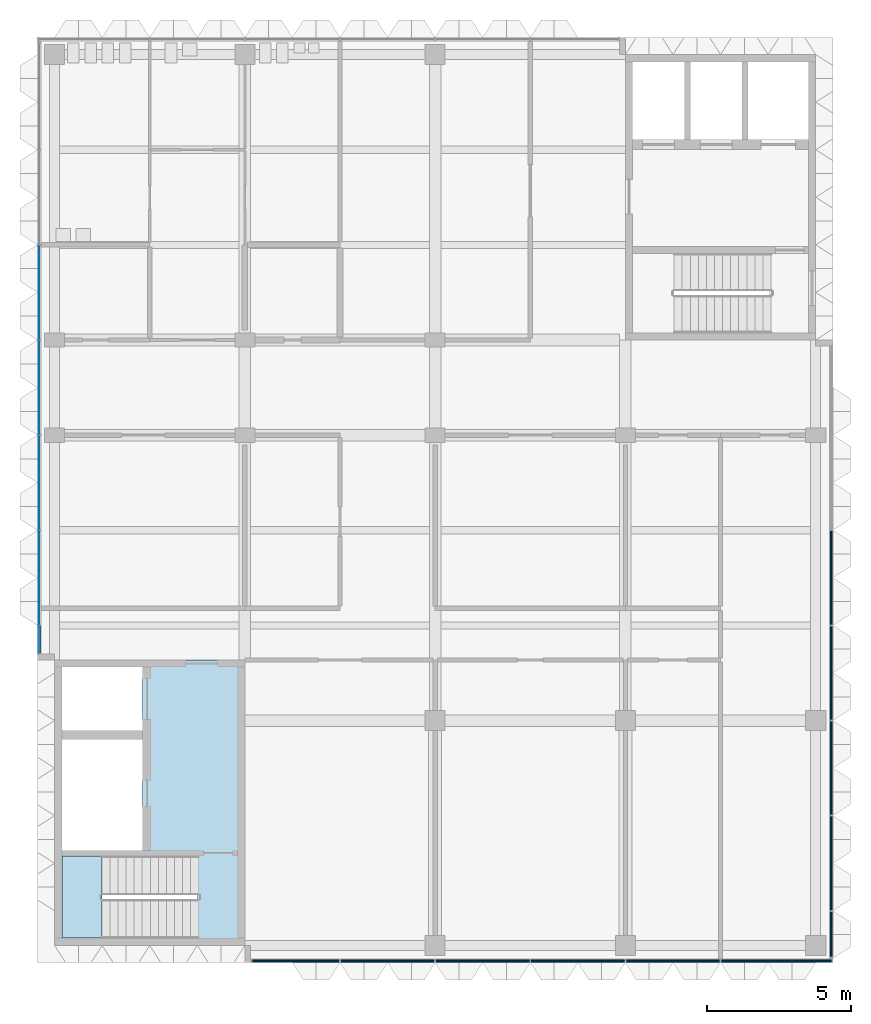
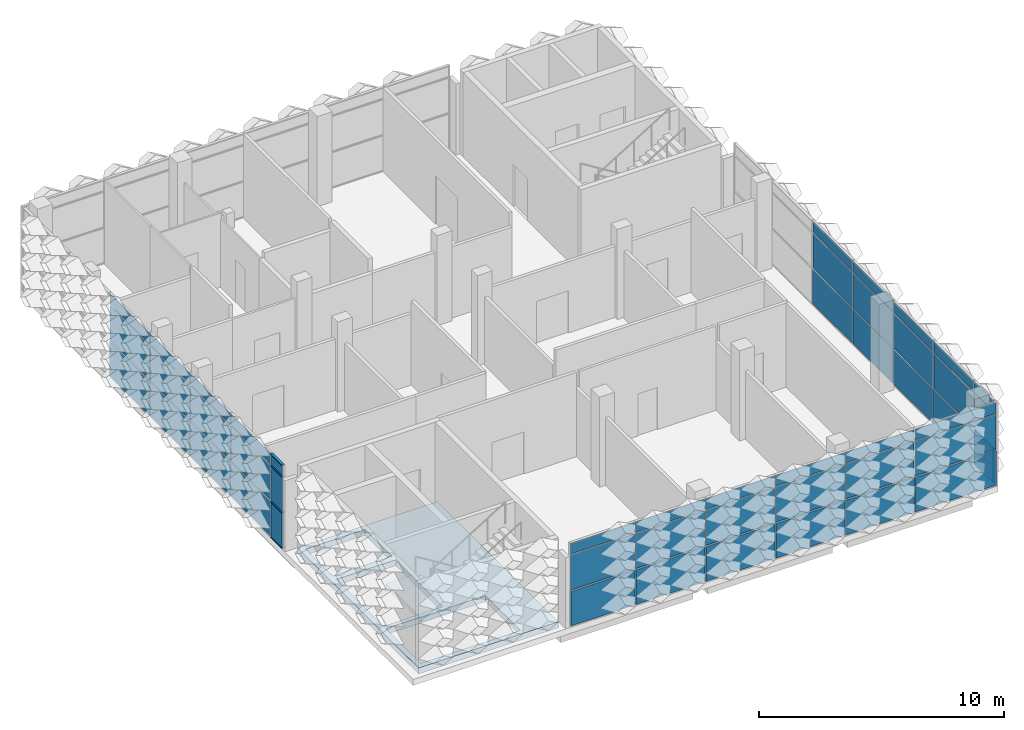
# One storey, part 7 of 28: 48 plates, 4 members, 2 slabs, 4 elements without a shape of their own.
"""IFC4 building model written with IfcOpenShell, lengths in metres."""

from ifc_helpers import new_model, si_unit, direction, frame, origin, origin_2d, place, context, subcontext, project, spatial, polyline, rectangle, outline, extrude, material, layer, layer_set, material_profile, profile_set, type_object, element, aggregate, save


model = new_model("IFC4")

# Units and contexts
model_context = context("Model", 3, precision=1e-05, world=origin(), true_north=direction((0.0, 1.0)))
body_context = subcontext(model_context, "Body", "Model", "MODEL_VIEW")
ifc_project = project(units=[si_unit("LENGTHUNIT", "METRE"), si_unit("AREAUNIT", "SQUARE_METRE"), si_unit("VOLUMEUNIT", "CUBIC_METRE"), si_unit("PLANEANGLEUNIT", "RADIAN"), si_unit("MASSUNIT", "GRAM", prefix="KILO")], contexts=[model_context])

# Site, building, storey
site_placement = place(None, origin())
site = spatial("IfcSite", under=ifc_project, at=site_placement, CompositionType="ELEMENT")
building_placement = place(site_placement, origin())
building = spatial("IfcBuilding", under=site, at=building_placement, Name="Lantern Court Research Institute", CompositionType="ELEMENT")
storey_placement = place(building_placement, frame((0.0, 0.0, 36.89990234375)))
storey = spatial("IfcBuildingStorey", under=building, at=storey_placement, Name="L08", CompositionType="ELEMENT", Elevation=36.89990234375)

# Curtain wall, members
ifc_material_1 = material(Name="Aluminium alloy 6063-T6", Category="aluminium")
curtain_wall_type_1 = type_object("IfcCurtainWallType", Name="Curtain wall 21250 x 4200 x 120 aluminium frame", PredefinedType="NOTDEFINED", material=ifc_material_1)
curtain_wall_1_placement = place(storey_placement, origin())
curtain_wall_1 = element("IfcCurtainWall", 1, at=curtain_wall_1_placement, inside=storey, type_object=curtain_wall_type_1, Name="Curtain wall CW088", PredefinedType="NOTDEFINED")
ifc_material_2 = material(Name="Aluminium alloy 6063-T6", Category="aluminium")
ifc_material_profile = material_profile(ifc_material_2, rectangle(XDim=0.1201171875, YDim=0.050048828125, at=origin_2d()), Name="Transom 120 x 50")
ifc_profile_set = profile_set([ifc_material_profile], Name="Aluminium alloy 6063-T6")
member_type = type_object("IfcMemberType", Name="Transom 120 x 50 aluminium", PredefinedType="USERDEFINED", material=ifc_profile_set)
member_1_placement = place(storey_placement, frame((52.260009765625, 2.35009765625, 0.025146484375), z_axis=(0.0, 1.0, 0.0), x_axis=(-1.0, 0.0, 0.0)))
member_1 = element("IfcMember", 2, at=member_1_placement, type_object=member_type, Name="CW088 transom 1.1", ObjectType="TRANSOM", PredefinedType="USERDEFINED", context=body_context, shape_type="SweptSolid", body=[
    extrude(rectangle(XDim=0.1201171875, YDim=0.050048828125, at=origin_2d()), origin(), (0.0, 0.0, 1.0), 0.9248046875),
])
member_2_placement = place(storey_placement, frame((52.260009765625, 2.35009765625, 1.800048828125), z_axis=(0.0, 1.0, 0.0), x_axis=(-1.0, 0.0, 0.0)))
member_2 = element("IfcMember", 3, at=member_2_placement, type_object=member_type, Name="CW088 transom 1.2", ObjectType="TRANSOM", PredefinedType="USERDEFINED", context=body_context, shape_type="SweptSolid", body=[
    extrude(rectangle(XDim=0.1201171875, YDim=0.050048828125, at=origin_2d()), origin(), (0.0, 0.0, 1.0), 0.9248046875),
])
member_3_placement = place(storey_placement, frame((52.260009765625, 2.35009765625, 3.60009765625), z_axis=(0.0, 1.0, 0.0), x_axis=(-1.0, 0.0, 0.0)))
member_3 = element("IfcMember", 4, at=member_3_placement, type_object=member_type, Name="CW088 transom 1.3", ObjectType="TRANSOM", PredefinedType="USERDEFINED", context=body_context, shape_type="SweptSolid", body=[
    extrude(rectangle(XDim=0.1201171875, YDim=0.050048828125, at=origin_2d()), origin(), (0.0, 0.0, 1.0), 0.9248046875),
])
member_4_placement = place(storey_placement, frame((52.260009765625, 2.35009765625, 4.175048828125), z_axis=(0.0, 1.0, 0.0), x_axis=(-1.0, 0.0, 0.0)))
member_4 = element("IfcMember", 5, at=member_4_placement, type_object=member_type, Name="CW088 transom 1.4", ObjectType="TRANSOM", PredefinedType="USERDEFINED", context=body_context, shape_type="SweptSolid", body=[
    extrude(rectangle(XDim=0.1201171875, YDim=0.050048828125, at=origin_2d()), origin(), (0.0, 0.0, 1.0), 0.9248046875),
])

# Curtain wall, plates
ifc_material_3 = material(Name="Aluminium alloy 6063-T6", Category="aluminium")
curtain_wall_type_2 = type_object("IfcCurtainWallType", Name="Curtain wall 20200 x 4200 x 120 aluminium frame", PredefinedType="NOTDEFINED", material=ifc_material_3)
curtain_wall_2_placement = place(storey_placement, origin())
curtain_wall_2 = element("IfcCurtainWall", 6, at=curtain_wall_2_placement, inside=storey, type_object=curtain_wall_type_2, Name="Curtain wall CW087", PredefinedType="NOTDEFINED")
ifc_material_4 = material(Name="Insulated aluminium spandrel panel", Category="aluminium")
ifc_layer_1 = layer(ifc_material_4, 0.10009765625)
ifc_layer_set_1 = layer_set([ifc_layer_1], Name="Insulated aluminium spandrel panel")
plate_type_1 = type_object("IfcPlateType", Name="Insulated spandrel panel 100 mm for south sun", PredefinedType="CURTAIN_PANEL", material=ifc_layer_set_1)
plate_1_placement = place(storey_placement, frame((61.16259765625, -8.340087890625, 0.050048828125), z_axis=(0.0, 0.0, 1.0), x_axis=(-1.0, 0.0, 0.0)))
plate_1 = element("IfcPlate", 7, at=plate_1_placement, type_object=plate_type_1, Name="CW087 spandrel panel 1.1", PredefinedType="CURTAIN_PANEL", context=body_context, shape_type="SweptSolid", body=[
    extrude(rectangle(XDim=3.02490234375, YDim=0.10009765625, at=origin_2d()), origin(), (0.0, 0.0, 1.0), 1.72509765625),
])
plate_2_placement = place(storey_placement, frame((64.35009765625, -8.340087890625, 0.050048828125), z_axis=(0.0, 0.0, 1.0), x_axis=(-1.0, 0.0, 0.0)))
plate_2 = element("IfcPlate", 8, at=plate_2_placement, type_object=plate_type_1, Name="CW087 spandrel panel 2.1", PredefinedType="CURTAIN_PANEL", context=body_context, shape_type="SweptSolid", body=[
    extrude(rectangle(XDim=3.25, YDim=0.10009765625, at=origin_2d()), origin(), (0.0, 0.0, 1.0), 1.72509765625),
])
plate_3_placement = place(storey_placement, frame((67.64990234375, -8.340087890625, 0.050048828125), z_axis=(0.0, 0.0, 1.0), x_axis=(-1.0, 0.0, 0.0)))
plate_3 = element("IfcPlate", 9, at=plate_3_placement, type_object=plate_type_1, Name="CW087 spandrel panel 3.1", PredefinedType="CURTAIN_PANEL", context=body_context, shape_type="SweptSolid", body=[
    extrude(rectangle(XDim=3.25, YDim=0.10009765625, at=origin_2d()), origin(), (0.0, 0.0, 1.0), 1.72509765625),
])
plate_4_placement = place(storey_placement, frame((70.949951171875, -8.340087890625, 0.050048828125), z_axis=(0.0, 0.0, 1.0), x_axis=(-1.0, 0.0, 0.0)))
plate_4 = element("IfcPlate", 10, at=plate_4_placement, type_object=plate_type_1, Name="CW087 spandrel panel 4.1", PredefinedType="CURTAIN_PANEL", context=body_context, shape_type="SweptSolid", body=[
    extrude(rectangle(XDim=3.25, YDim=0.10009765625, at=origin_2d()), origin(), (0.0, 0.0, 1.0), 1.72509765625),
])
plate_5_placement = place(storey_placement, frame((74.25, -8.340087890625, 0.050048828125), z_axis=(0.0, 0.0, 1.0), x_axis=(-1.0, 0.0, 0.0)))
plate_5 = element("IfcPlate", 11, at=plate_5_placement, type_object=plate_type_1, Name="CW087 spandrel panel 5.1", PredefinedType="CURTAIN_PANEL", context=body_context, shape_type="SweptSolid", body=[
    extrude(rectangle(XDim=3.25, YDim=0.10009765625, at=origin_2d()), origin(), (0.0, 0.0, 1.0), 1.72509765625),
])
plate_6_placement = place(storey_placement, frame((77.83740234375, -8.340087890625, 0.050048828125), z_axis=(0.0, 0.0, 1.0), x_axis=(-1.0, 0.0, 0.0)))
plate_6 = element("IfcPlate", 12, at=plate_6_placement, type_object=plate_type_1, Name="CW087 spandrel panel 6.1", PredefinedType="CURTAIN_PANEL", context=body_context, shape_type="SweptSolid", body=[
    extrude(rectangle(XDim=3.824951171875, YDim=0.10009765625, at=origin_2d()), origin(), (0.0, 0.0, 1.0), 1.72509765625),
])

curtain_wall_3_placement = place(storey_placement, origin())
curtain_wall_3 = element("IfcCurtainWall", 13, at=curtain_wall_3_placement, inside=storey, type_object=curtain_wall_type_1, Name="Curtain wall CW085", PredefinedType="NOTDEFINED")
ifc_material_5 = material(Name="Insulated aluminium spandrel panel", Category="aluminium")
ifc_layer_2 = layer(ifc_material_5, 0.080078125)
ifc_layer_set_2 = layer_set([ifc_layer_2], Name="Insulated aluminium spandrel panel")
plate_type_2 = type_object("IfcPlateType", Name="Insulated spandrel panel 80 mm", PredefinedType="CURTAIN_PANEL", material=ifc_layer_set_2)
plate_7_placement = place(storey_placement, frame((79.739990234375, -7.41259765625, 0.050048828125), z_axis=(0.0, 0.0, 1.0), x_axis=(0.0, -1.0, 0.0)))
plate_7 = element("IfcPlate", 14, at=plate_7_placement, type_object=plate_type_2, Name="CW085 spandrel panel 1.1", PredefinedType="CURTAIN_PANEL", context=body_context, shape_type="SweptSolid", body=[
    extrude(rectangle(XDim=1.574951171875, YDim=0.080078125, at=origin_2d()), origin(), (0.0, 0.0, 1.0), 1.72509765625),
])
plate_8_placement = place(storey_placement, frame((79.739990234375, -4.949951171875, 0.050048828125), z_axis=(0.0, 0.0, 1.0), x_axis=(0.0, -1.0, 0.0)))
plate_8 = element("IfcPlate", 15, at=plate_8_placement, type_object=plate_type_2, Name="CW085 spandrel panel 2.1", PredefinedType="CURTAIN_PANEL", context=body_context, shape_type="SweptSolid", body=[
    extrude(rectangle(XDim=3.25, YDim=0.080078125, at=origin_2d()), origin(), (0.0, 0.0, 1.0), 1.72509765625),
])
plate_9_placement = place(storey_placement, frame((79.739990234375, -1.64990234375, 0.050048828125), z_axis=(0.0, 0.0, 1.0), x_axis=(0.0, -1.0, 0.0)))
plate_9 = element("IfcPlate", 16, at=plate_9_placement, type_object=plate_type_2, Name="CW085 spandrel panel 3.1", PredefinedType="CURTAIN_PANEL", context=body_context, shape_type="SweptSolid", body=[
    extrude(rectangle(XDim=3.25, YDim=0.080078125, at=origin_2d()), origin(), (0.0, 0.0, 1.0), 1.72509765625),
])
plate_10_placement = place(storey_placement, frame((79.739990234375, 1.64990234375, 0.050048828125), z_axis=(0.0, 0.0, 1.0), x_axis=(0.0, -1.0, 0.0)))
plate_10 = element("IfcPlate", 17, at=plate_10_placement, type_object=plate_type_2, Name="CW085 spandrel panel 4.1", PredefinedType="CURTAIN_PANEL", context=body_context, shape_type="SweptSolid", body=[
    extrude(rectangle(XDim=3.25, YDim=0.080078125, at=origin_2d()), origin(), (0.0, 0.0, 1.0), 1.72509765625),
])
plate_11_placement = place(storey_placement, frame((79.739990234375, 4.949951171875, 0.050048828125), z_axis=(0.0, 0.0, 1.0), x_axis=(0.0, -1.0, 0.0)))
plate_11 = element("IfcPlate", 18, at=plate_11_placement, type_object=plate_type_2, Name="CW085 spandrel panel 5.1", PredefinedType="CURTAIN_PANEL", context=body_context, shape_type="SweptSolid", body=[
    extrude(rectangle(XDim=3.25, YDim=0.080078125, at=origin_2d()), origin(), (0.0, 0.0, 1.0), 1.72509765625),
])

# Plate
plate_12_placement = place(storey_placement, frame((52.260009765625, 2.8125, 0.050048828125), z_axis=(0.0, 0.0, 1.0), x_axis=(0.0, 1.0, 0.0)))
plate_12 = element("IfcPlate", 19, at=plate_12_placement, type_object=plate_type_2, Name="CW088 spandrel panel 1.1", PredefinedType="CURTAIN_PANEL", context=body_context, shape_type="SweptSolid", body=[
    extrude(rectangle(XDim=0.925048828125, YDim=0.080078125, at=origin_2d()), origin(), (0.0, 0.0, 1.0), 1.72509765625),
])

plate_13_placement = place(storey_placement, frame((52.260009765625, 4.949951171875, 0.050048828125), z_axis=(0.0, 0.0, 1.0), x_axis=(0.0, 1.0, 0.0)))
plate_13 = element("IfcPlate", 20, at=plate_13_placement, type_object=plate_type_2, Name="CW088 spandrel panel 2.1", PredefinedType="CURTAIN_PANEL", context=body_context, shape_type="SweptSolid", body=[
    extrude(rectangle(XDim=3.25, YDim=0.080078125, at=origin_2d()), origin(), (0.0, 0.0, 1.0), 1.72509765625),
])

plate_14_placement = place(storey_placement, frame((52.260009765625, 8.25, 0.050048828125), z_axis=(0.0, 0.0, 1.0), x_axis=(0.0, 1.0, 0.0)))
plate_14 = element("IfcPlate", 21, at=plate_14_placement, type_object=plate_type_2, Name="CW088 spandrel panel 3.1", PredefinedType="CURTAIN_PANEL", context=body_context, shape_type="SweptSolid", body=[
    extrude(rectangle(XDim=3.25, YDim=0.080078125, at=origin_2d()), origin(), (0.0, 0.0, 1.0), 1.72509765625),
])

plate_15_placement = place(storey_placement, frame((52.260009765625, 11.550048828125, 0.050048828125), z_axis=(0.0, 0.0, 1.0), x_axis=(0.0, 1.0, 0.0)))
plate_15 = element("IfcPlate", 22, at=plate_15_placement, type_object=plate_type_2, Name="CW088 spandrel panel 4.1", PredefinedType="CURTAIN_PANEL", context=body_context, shape_type="SweptSolid", body=[
    extrude(rectangle(XDim=3.25, YDim=0.080078125, at=origin_2d()), origin(), (0.0, 0.0, 1.0), 1.72509765625),
])

plate_16_placement = place(storey_placement, frame((52.260009765625, 14.85009765625, 0.050048828125), z_axis=(0.0, 0.0, 1.0), x_axis=(0.0, 1.0, 0.0)))
plate_16 = element("IfcPlate", 23, at=plate_16_placement, type_object=plate_type_2, Name="CW088 spandrel panel 5.1", PredefinedType="CURTAIN_PANEL", context=body_context, shape_type="SweptSolid", body=[
    extrude(rectangle(XDim=3.25, YDim=0.080078125, at=origin_2d()), origin(), (0.0, 0.0, 1.0), 1.72509765625),
])

ifc_material_6 = material(Name="Laminated low-emissivity glass", Category="glass")
ifc_layer_3 = layer(ifc_material_6, 0.031982421875)
ifc_layer_set_3 = layer_set([ifc_layer_3], Name="Laminated low-emissivity glass")
plate_type_3 = type_object("IfcPlateType", Name="Laminated low-emissivity unit 32 mm", PredefinedType="CURTAIN_PANEL", material=ifc_layer_set_3)
plate_17_placement = place(storey_placement, frame((52.260009765625, 2.8125, 1.8251953125), z_axis=(0.0, 0.0, 1.0), x_axis=(0.0, 1.0, 0.0)))
plate_17 = element("IfcPlate", 24, at=plate_17_placement, type_object=plate_type_3, Name="CW088 glazed panel 1.2", PredefinedType="CURTAIN_PANEL", context=body_context, shape_type="SweptSolid", body=[
    extrude(rectangle(XDim=0.925048828125, YDim=0.031982421875, at=origin_2d()), origin(), (0.0, 0.0, 1.0), 1.75),
])

plate_18_placement = place(storey_placement, frame((52.260009765625, 2.8125, 3.625244140625), z_axis=(0.0, 0.0, 1.0), x_axis=(0.0, 1.0, 0.0)))
plate_18 = element("IfcPlate", 25, at=plate_18_placement, type_object=plate_type_3, Name="CW088 glazed panel 1.3", PredefinedType="CURTAIN_PANEL", context=body_context, shape_type="SweptSolid", body=[
    extrude(rectangle(XDim=0.925048828125, YDim=0.031982421875, at=origin_2d()), origin(), (0.0, 0.0, 1.0), 0.52490234375),
])

plate_19_placement = place(storey_placement, frame((52.260009765625, 4.949951171875, 1.8251953125), z_axis=(0.0, 0.0, 1.0), x_axis=(0.0, 1.0, 0.0)))
plate_19 = element("IfcPlate", 26, at=plate_19_placement, type_object=plate_type_3, Name="CW088 glazed panel 2.2", PredefinedType="CURTAIN_PANEL", context=body_context, shape_type="SweptSolid", body=[
    extrude(rectangle(XDim=3.25, YDim=0.031982421875, at=origin_2d()), origin(), (0.0, 0.0, 1.0), 1.75),
])

plate_20_placement = place(storey_placement, frame((52.260009765625, 4.949951171875, 3.625244140625), z_axis=(0.0, 0.0, 1.0), x_axis=(0.0, 1.0, 0.0)))
plate_20 = element("IfcPlate", 27, at=plate_20_placement, type_object=plate_type_3, Name="CW088 glazed panel 2.3", PredefinedType="CURTAIN_PANEL", context=body_context, shape_type="SweptSolid", body=[
    extrude(rectangle(XDim=3.25, YDim=0.031982421875, at=origin_2d()), origin(), (0.0, 0.0, 1.0), 0.52490234375),
])

plate_21_placement = place(storey_placement, frame((52.260009765625, 8.25, 1.8251953125), z_axis=(0.0, 0.0, 1.0), x_axis=(0.0, 1.0, 0.0)))
plate_21 = element("IfcPlate", 28, at=plate_21_placement, type_object=plate_type_3, Name="CW088 glazed panel 3.2", PredefinedType="CURTAIN_PANEL", context=body_context, shape_type="SweptSolid", body=[
    extrude(rectangle(XDim=3.25, YDim=0.031982421875, at=origin_2d()), origin(), (0.0, 0.0, 1.0), 1.75),
])

plate_22_placement = place(storey_placement, frame((52.260009765625, 8.25, 3.625244140625), z_axis=(0.0, 0.0, 1.0), x_axis=(0.0, 1.0, 0.0)))
plate_22 = element("IfcPlate", 29, at=plate_22_placement, type_object=plate_type_3, Name="CW088 glazed panel 3.3", PredefinedType="CURTAIN_PANEL", context=body_context, shape_type="SweptSolid", body=[
    extrude(rectangle(XDim=3.25, YDim=0.031982421875, at=origin_2d()), origin(), (0.0, 0.0, 1.0), 0.52490234375),
])

plate_23_placement = place(storey_placement, frame((52.260009765625, 11.550048828125, 1.8251953125), z_axis=(0.0, 0.0, 1.0), x_axis=(0.0, 1.0, 0.0)))
plate_23 = element("IfcPlate", 30, at=plate_23_placement, type_object=plate_type_3, Name="CW088 glazed panel 4.2", PredefinedType="CURTAIN_PANEL", context=body_context, shape_type="SweptSolid", body=[
    extrude(rectangle(XDim=3.25, YDim=0.031982421875, at=origin_2d()), origin(), (0.0, 0.0, 1.0), 1.75),
])

plate_24_placement = place(storey_placement, frame((52.260009765625, 11.550048828125, 3.625244140625), z_axis=(0.0, 0.0, 1.0), x_axis=(0.0, 1.0, 0.0)))
plate_24 = element("IfcPlate", 31, at=plate_24_placement, type_object=plate_type_3, Name="CW088 glazed panel 4.3", PredefinedType="CURTAIN_PANEL", context=body_context, shape_type="SweptSolid", body=[
    extrude(rectangle(XDim=3.25, YDim=0.031982421875, at=origin_2d()), origin(), (0.0, 0.0, 1.0), 0.52490234375),
])

plate_25_placement = place(storey_placement, frame((52.260009765625, 14.85009765625, 1.8251953125), z_axis=(0.0, 0.0, 1.0), x_axis=(0.0, 1.0, 0.0)))
plate_25 = element("IfcPlate", 32, at=plate_25_placement, type_object=plate_type_3, Name="CW088 glazed panel 5.2", PredefinedType="CURTAIN_PANEL", context=body_context, shape_type="SweptSolid", body=[
    extrude(rectangle(XDim=3.25, YDim=0.031982421875, at=origin_2d()), origin(), (0.0, 0.0, 1.0), 1.75),
])

plate_26_placement = place(storey_placement, frame((52.260009765625, 14.85009765625, 3.625244140625), z_axis=(0.0, 0.0, 1.0), x_axis=(0.0, 1.0, 0.0)))
plate_26 = element("IfcPlate", 33, at=plate_26_placement, type_object=plate_type_3, Name="CW088 glazed panel 5.3", PredefinedType="CURTAIN_PANEL", context=body_context, shape_type="SweptSolid", body=[
    extrude(rectangle(XDim=3.25, YDim=0.031982421875, at=origin_2d()), origin(), (0.0, 0.0, 1.0), 0.52490234375),
])

aggregate(curtain_wall_1, [member_1, member_2, member_3, member_4, plate_12, plate_17, plate_18, plate_13, plate_19, plate_20, plate_14, plate_21, plate_22, plate_15, plate_23, plate_24, plate_16, plate_25, plate_26])

# Slab
ifc_material_7 = material(Name="Concrete C35/45", Category="concrete")
ifc_layer_4 = layer(ifc_material_7, 0.300048828125)
ifc_layer_set_4 = layer_set([ifc_layer_4], Name="Concrete C35/45")
slab_type_1 = type_object("IfcSlabType", Name="RC core floor slab 300", PredefinedType="FLOOR", material=ifc_layer_set_4)
slab_1_placement = place(storey_placement, frame((0.0, 0.0, -0.2998046875)))
element("IfcSlab", 34, at=slab_1_placement, inside=storey, type_object=slab_type_1, Name="Floor of core TC-W", PredefinedType="FLOOR", context=body_context, shape_type="SweptSolid", body=[
    extrude(outline(polyline([(52.800048828125, -7.800048828125), (59.39990234375, -7.800048828125), (59.39990234375, 2.10009765625), (52.800048828125, 2.10009765625), (52.800048828125, -7.800048828125)]), holes=[polyline([(57.75, -4.699951171875), (53.050048828125, -4.699951171875), (53.050048828125, -7.550048828125), (57.75, -7.550048828125), (57.75, -4.699951171875)]), polyline([(53.050048828125, -0.35009765625), (55.85009765625, -0.35009765625), (55.85009765625, 1.85009765625), (53.050048828125, 1.85009765625), (53.050048828125, -0.35009765625)]), polyline([(53.050048828125, -0.64990234375), (55.85009765625, -0.64990234375), (55.85009765625, -4.5), (53.050048828125, -4.5), (53.050048828125, -0.64990234375)])]), origin(), (0.0, 0.0, 1.0), 0.2998046875),
])

# Stair, slab
ifc_material_8 = material(Name="Concrete C40/50", Category="concrete")
stair_type = type_object("IfcStairType", Name="RC half-turn stair 1350 wide, 4500 rise, 6100 shaft", PredefinedType="HALF_TURN_STAIR", material=ifc_material_8)
stair_placement = place(storey_placement, origin())
stair = element("IfcStair", 35, at=stair_placement, inside=storey, type_object=stair_type, Name="L08 stair ST-T1", PredefinedType="HALF_TURN_STAIR")
ifc_material_9 = material(Name="Concrete C40/50", Category="concrete")
ifc_layer_5 = layer(ifc_material_9, 0.199951171875)
ifc_layer_set_5 = layer_set([ifc_layer_5], Name="Concrete C40/50")
slab_type_2 = type_object("IfcSlabType", Name="RC stair landing 200", PredefinedType="LANDING", material=ifc_layer_set_5)
slab_2_placement = place(storey_placement, frame((0.0, 0.0, 2.050048828125)))
slab_2 = element("IfcSlab", 36, at=slab_2_placement, type_object=slab_type_2, Name="ST-T1 landing 1", PredefinedType="LANDING", context=body_context, shape_type="SweptSolid", body=[
    extrude(outline(polyline([(54.43994140625, -4.699951171875), (53.050048828125, -4.699951171875), (53.050048828125, -7.550048828125), (54.43994140625, -7.550048828125), (54.43994140625, -4.699951171875)])), origin(), (0.0, 0.0, 1.0), 0.199951171875),
])
aggregate(stair, [slab_2])

# Plate
ifc_material_10 = material(Name="Laminated low-emissivity glass", Category="glass")
ifc_layer_6 = layer(ifc_material_10, 0.035888671875)
ifc_layer_set_6 = layer_set([ifc_layer_6], Name="Laminated low-emissivity glass")
plate_type_4 = type_object("IfcPlateType", Name="Solar control laminated unit 36 mm", PredefinedType="CURTAIN_PANEL", material=ifc_layer_set_6)
plate_27_placement = place(storey_placement, frame((79.739990234375, -7.41259765625, 1.8251953125), z_axis=(0.0, 0.0, 1.0), x_axis=(0.0, -1.0, 0.0)))
plate_27 = element("IfcPlate", 37, at=plate_27_placement, type_object=plate_type_4, Name="CW085 glazed panel 1.2", PredefinedType="CURTAIN_PANEL", context=body_context, shape_type="SweptSolid", body=[
    extrude(rectangle(XDim=1.574951171875, YDim=0.035888671875, at=origin_2d()), origin(), (0.0, 0.0, 1.0), 1.75),
])

plate_28_placement = place(storey_placement, frame((79.739990234375, -7.41259765625, 3.625244140625), z_axis=(0.0, 0.0, 1.0), x_axis=(0.0, -1.0, 0.0)))
plate_28 = element("IfcPlate", 38, at=plate_28_placement, type_object=plate_type_4, Name="CW085 glazed panel 1.3", PredefinedType="CURTAIN_PANEL", context=body_context, shape_type="SweptSolid", body=[
    extrude(rectangle(XDim=1.574951171875, YDim=0.035888671875, at=origin_2d()), origin(), (0.0, 0.0, 1.0), 0.52490234375),
])

plate_29_placement = place(storey_placement, frame((79.739990234375, -4.949951171875, 1.8251953125), z_axis=(0.0, 0.0, 1.0), x_axis=(0.0, -1.0, 0.0)))
plate_29 = element("IfcPlate", 39, at=plate_29_placement, type_object=plate_type_4, Name="CW085 glazed panel 2.2", PredefinedType="CURTAIN_PANEL", context=body_context, shape_type="SweptSolid", body=[
    extrude(rectangle(XDim=3.25, YDim=0.035888671875, at=origin_2d()), origin(), (0.0, 0.0, 1.0), 1.75),
])

plate_30_placement = place(storey_placement, frame((79.739990234375, -4.949951171875, 3.625244140625), z_axis=(0.0, 0.0, 1.0), x_axis=(0.0, -1.0, 0.0)))
plate_30 = element("IfcPlate", 40, at=plate_30_placement, type_object=plate_type_4, Name="CW085 glazed panel 2.3", PredefinedType="CURTAIN_PANEL", context=body_context, shape_type="SweptSolid", body=[
    extrude(rectangle(XDim=3.25, YDim=0.035888671875, at=origin_2d()), origin(), (0.0, 0.0, 1.0), 0.52490234375),
])

plate_31_placement = place(storey_placement, frame((79.739990234375, -1.64990234375, 1.8251953125), z_axis=(0.0, 0.0, 1.0), x_axis=(0.0, -1.0, 0.0)))
plate_31 = element("IfcPlate", 41, at=plate_31_placement, type_object=plate_type_4, Name="CW085 glazed panel 3.2", PredefinedType="CURTAIN_PANEL", context=body_context, shape_type="SweptSolid", body=[
    extrude(rectangle(XDim=3.25, YDim=0.035888671875, at=origin_2d()), origin(), (0.0, 0.0, 1.0), 1.75),
])

plate_32_placement = place(storey_placement, frame((79.739990234375, -1.64990234375, 3.625244140625), z_axis=(0.0, 0.0, 1.0), x_axis=(0.0, -1.0, 0.0)))
plate_32 = element("IfcPlate", 42, at=plate_32_placement, type_object=plate_type_4, Name="CW085 glazed panel 3.3", PredefinedType="CURTAIN_PANEL", context=body_context, shape_type="SweptSolid", body=[
    extrude(rectangle(XDim=3.25, YDim=0.035888671875, at=origin_2d()), origin(), (0.0, 0.0, 1.0), 0.52490234375),
])

plate_33_placement = place(storey_placement, frame((79.739990234375, 1.64990234375, 1.8251953125), z_axis=(0.0, 0.0, 1.0), x_axis=(0.0, -1.0, 0.0)))
plate_33 = element("IfcPlate", 43, at=plate_33_placement, type_object=plate_type_4, Name="CW085 glazed panel 4.2", PredefinedType="CURTAIN_PANEL", context=body_context, shape_type="SweptSolid", body=[
    extrude(rectangle(XDim=3.25, YDim=0.035888671875, at=origin_2d()), origin(), (0.0, 0.0, 1.0), 1.75),
])

plate_34_placement = place(storey_placement, frame((79.739990234375, 1.64990234375, 3.625244140625), z_axis=(0.0, 0.0, 1.0), x_axis=(0.0, -1.0, 0.0)))
plate_34 = element("IfcPlate", 44, at=plate_34_placement, type_object=plate_type_4, Name="CW085 glazed panel 4.3", PredefinedType="CURTAIN_PANEL", context=body_context, shape_type="SweptSolid", body=[
    extrude(rectangle(XDim=3.25, YDim=0.035888671875, at=origin_2d()), origin(), (0.0, 0.0, 1.0), 0.52490234375),
])

plate_35_placement = place(storey_placement, frame((79.739990234375, 4.949951171875, 1.8251953125), z_axis=(0.0, 0.0, 1.0), x_axis=(0.0, -1.0, 0.0)))
plate_35 = element("IfcPlate", 45, at=plate_35_placement, type_object=plate_type_4, Name="CW085 glazed panel 5.2", PredefinedType="CURTAIN_PANEL", context=body_context, shape_type="SweptSolid", body=[
    extrude(rectangle(XDim=3.25, YDim=0.035888671875, at=origin_2d()), origin(), (0.0, 0.0, 1.0), 1.75),
])

plate_36_placement = place(storey_placement, frame((79.739990234375, 4.949951171875, 3.625244140625), z_axis=(0.0, 0.0, 1.0), x_axis=(0.0, -1.0, 0.0)))
plate_36 = element("IfcPlate", 46, at=plate_36_placement, type_object=plate_type_4, Name="CW085 glazed panel 5.3", PredefinedType="CURTAIN_PANEL", context=body_context, shape_type="SweptSolid", body=[
    extrude(rectangle(XDim=3.25, YDim=0.035888671875, at=origin_2d()), origin(), (0.0, 0.0, 1.0), 0.52490234375),
])

aggregate(curtain_wall_3, [plate_7, plate_27, plate_28, plate_8, plate_29, plate_30, plate_9, plate_31, plate_32, plate_10, plate_33, plate_34, plate_11, plate_35, plate_36])

plate_37_placement = place(storey_placement, frame((61.16259765625, -8.340087890625, 1.8251953125), z_axis=(0.0, 0.0, 1.0), x_axis=(-1.0, 0.0, 0.0)))
plate_37 = element("IfcPlate", 47, at=plate_37_placement, type_object=plate_type_4, Name="CW087 glazed panel 1.2", PredefinedType="CURTAIN_PANEL", context=body_context, shape_type="SweptSolid", body=[
    extrude(rectangle(XDim=3.02490234375, YDim=0.035888671875, at=origin_2d()), origin(), (0.0, 0.0, 1.0), 1.75),
])

plate_38_placement = place(storey_placement, frame((61.16259765625, -8.340087890625, 3.625244140625), z_axis=(0.0, 0.0, 1.0), x_axis=(-1.0, 0.0, 0.0)))
plate_38 = element("IfcPlate", 48, at=plate_38_placement, type_object=plate_type_4, Name="CW087 glazed panel 1.3", PredefinedType="CURTAIN_PANEL", context=body_context, shape_type="SweptSolid", body=[
    extrude(rectangle(XDim=3.02490234375, YDim=0.035888671875, at=origin_2d()), origin(), (0.0, 0.0, 1.0), 0.52490234375),
])

plate_39_placement = place(storey_placement, frame((64.35009765625, -8.340087890625, 1.8251953125), z_axis=(0.0, 0.0, 1.0), x_axis=(-1.0, 0.0, 0.0)))
plate_39 = element("IfcPlate", 49, at=plate_39_placement, type_object=plate_type_4, Name="CW087 glazed panel 2.2", PredefinedType="CURTAIN_PANEL", context=body_context, shape_type="SweptSolid", body=[
    extrude(rectangle(XDim=3.25, YDim=0.035888671875, at=origin_2d()), origin(), (0.0, 0.0, 1.0), 1.75),
])

plate_40_placement = place(storey_placement, frame((64.35009765625, -8.340087890625, 3.625244140625), z_axis=(0.0, 0.0, 1.0), x_axis=(-1.0, 0.0, 0.0)))
plate_40 = element("IfcPlate", 50, at=plate_40_placement, type_object=plate_type_4, Name="CW087 glazed panel 2.3", PredefinedType="CURTAIN_PANEL", context=body_context, shape_type="SweptSolid", body=[
    extrude(rectangle(XDim=3.25, YDim=0.035888671875, at=origin_2d()), origin(), (0.0, 0.0, 1.0), 0.52490234375),
])

plate_41_placement = place(storey_placement, frame((67.64990234375, -8.340087890625, 1.8251953125), z_axis=(0.0, 0.0, 1.0), x_axis=(-1.0, 0.0, 0.0)))
plate_41 = element("IfcPlate", 51, at=plate_41_placement, type_object=plate_type_4, Name="CW087 glazed panel 3.2", PredefinedType="CURTAIN_PANEL", context=body_context, shape_type="SweptSolid", body=[
    extrude(rectangle(XDim=3.25, YDim=0.035888671875, at=origin_2d()), origin(), (0.0, 0.0, 1.0), 1.75),
])

plate_42_placement = place(storey_placement, frame((67.64990234375, -8.340087890625, 3.625244140625), z_axis=(0.0, 0.0, 1.0), x_axis=(-1.0, 0.0, 0.0)))
plate_42 = element("IfcPlate", 52, at=plate_42_placement, type_object=plate_type_4, Name="CW087 glazed panel 3.3", PredefinedType="CURTAIN_PANEL", context=body_context, shape_type="SweptSolid", body=[
    extrude(rectangle(XDim=3.25, YDim=0.035888671875, at=origin_2d()), origin(), (0.0, 0.0, 1.0), 0.52490234375),
])

plate_43_placement = place(storey_placement, frame((70.949951171875, -8.340087890625, 1.8251953125), z_axis=(0.0, 0.0, 1.0), x_axis=(-1.0, 0.0, 0.0)))
plate_43 = element("IfcPlate", 53, at=plate_43_placement, type_object=plate_type_4, Name="CW087 glazed panel 4.2", PredefinedType="CURTAIN_PANEL", context=body_context, shape_type="SweptSolid", body=[
    extrude(rectangle(XDim=3.25, YDim=0.035888671875, at=origin_2d()), origin(), (0.0, 0.0, 1.0), 1.75),
])

plate_44_placement = place(storey_placement, frame((70.949951171875, -8.340087890625, 3.625244140625), z_axis=(0.0, 0.0, 1.0), x_axis=(-1.0, 0.0, 0.0)))
plate_44 = element("IfcPlate", 54, at=plate_44_placement, type_object=plate_type_4, Name="CW087 glazed panel 4.3", PredefinedType="CURTAIN_PANEL", context=body_context, shape_type="SweptSolid", body=[
    extrude(rectangle(XDim=3.25, YDim=0.035888671875, at=origin_2d()), origin(), (0.0, 0.0, 1.0), 0.52490234375),
])

plate_45_placement = place(storey_placement, frame((74.25, -8.340087890625, 1.8251953125), z_axis=(0.0, 0.0, 1.0), x_axis=(-1.0, 0.0, 0.0)))
plate_45 = element("IfcPlate", 55, at=plate_45_placement, type_object=plate_type_4, Name="CW087 glazed panel 5.2", PredefinedType="CURTAIN_PANEL", context=body_context, shape_type="SweptSolid", body=[
    extrude(rectangle(XDim=3.25, YDim=0.035888671875, at=origin_2d()), origin(), (0.0, 0.0, 1.0), 1.75),
])

plate_46_placement = place(storey_placement, frame((74.25, -8.340087890625, 3.625244140625), z_axis=(0.0, 0.0, 1.0), x_axis=(-1.0, 0.0, 0.0)))
plate_46 = element("IfcPlate", 56, at=plate_46_placement, type_object=plate_type_4, Name="CW087 glazed panel 5.3", PredefinedType="CURTAIN_PANEL", context=body_context, shape_type="SweptSolid", body=[
    extrude(rectangle(XDim=3.25, YDim=0.035888671875, at=origin_2d()), origin(), (0.0, 0.0, 1.0), 0.52490234375),
])

plate_47_placement = place(storey_placement, frame((77.83740234375, -8.340087890625, 1.8251953125), z_axis=(0.0, 0.0, 1.0), x_axis=(-1.0, 0.0, 0.0)))
plate_47 = element("IfcPlate", 57, at=plate_47_placement, type_object=plate_type_4, Name="CW087 glazed panel 6.2", PredefinedType="CURTAIN_PANEL", context=body_context, shape_type="SweptSolid", body=[
    extrude(rectangle(XDim=3.824951171875, YDim=0.035888671875, at=origin_2d()), origin(), (0.0, 0.0, 1.0), 1.75),
])

plate_48_placement = place(storey_placement, frame((77.83740234375, -8.340087890625, 3.625244140625), z_axis=(0.0, 0.0, 1.0), x_axis=(-1.0, 0.0, 0.0)))
plate_48 = element("IfcPlate", 58, at=plate_48_placement, type_object=plate_type_4, Name="CW087 glazed panel 6.3", PredefinedType="CURTAIN_PANEL", context=body_context, shape_type="SweptSolid", body=[
    extrude(rectangle(XDim=3.824951171875, YDim=0.035888671875, at=origin_2d()), origin(), (0.0, 0.0, 1.0), 0.52490234375),
])

aggregate(curtain_wall_2, [plate_1, plate_37, plate_38, plate_2, plate_39, plate_40, plate_3, plate_41, plate_42, plate_4, plate_43, plate_44, plate_5, plate_45, plate_46, plate_6, plate_47, plate_48])

save(model, "model.ifc")
